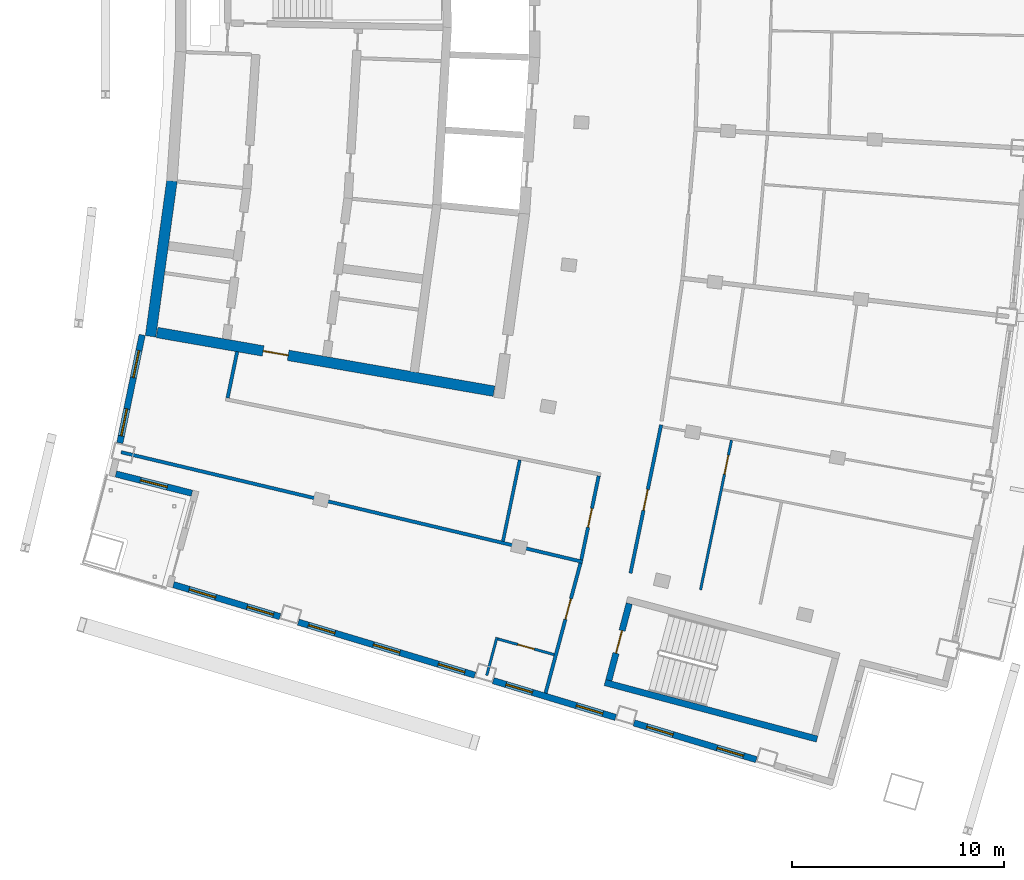
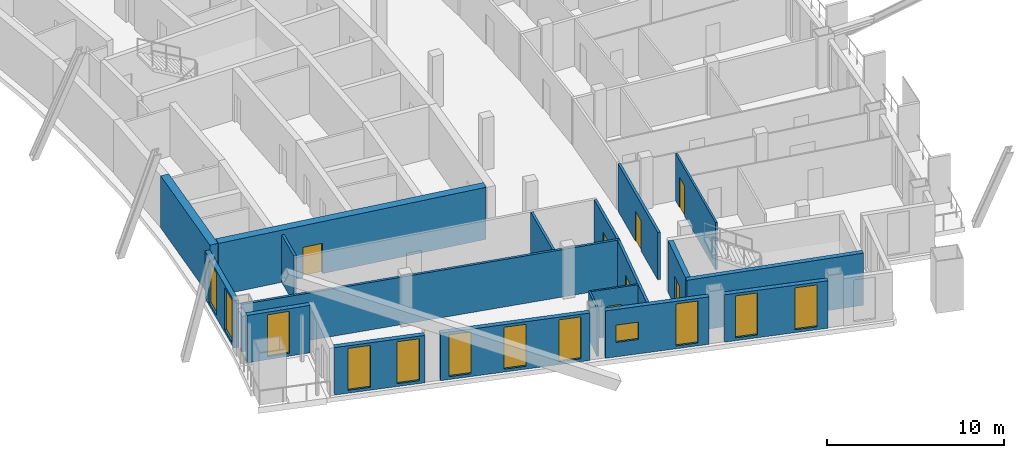
# One storey, part 7 of 17: 19 walls, 12 windows, 7 doors, 19 openings.
"""IFC4 building model written with IfcOpenShell, lengths in metres."""

from ifc_helpers import new_model, si_unit, direction, frame, frame_2d, origin, place, context, subcontext, project, spatial, rectangle, extrude, material, layer, layer_set, type_object, element, fill, save


model = new_model("IFC4")

# Units and contexts
model_context = context("Model", 3, precision=1e-05, world=origin(), true_north=direction((0.0, 1.0)))
body_context = subcontext(model_context, "Body", "Model", "MODEL_VIEW")
ifc_project = project(units=[si_unit("LENGTHUNIT", "METRE"), si_unit("AREAUNIT", "SQUARE_METRE"), si_unit("VOLUMEUNIT", "CUBIC_METRE"), si_unit("PLANEANGLEUNIT", "RADIAN"), si_unit("MASSUNIT", "GRAM", prefix="KILO")], contexts=[model_context])

# Site, building, storey
site_placement = place(None, origin())
site = spatial("IfcSite", under=ifc_project, at=site_placement, CompositionType="ELEMENT")
building_placement = place(site_placement, origin())
building = spatial("IfcBuilding", under=site, at=building_placement, Name="Alderwake Tower", CompositionType="ELEMENT")
storey_placement = place(building_placement, frame((0.0, 0.0, 256.39990234375)))
storey = spatial("IfcBuildingStorey", under=building, at=storey_placement, Name="L63", CompositionType="ELEMENT", Elevation=256.39990234375)

# Wall
ifc_material_1 = material(Name="Concrete C70/85", Category="concrete")
ifc_layer_1 = layer(ifc_material_1, 0.5)
ifc_layer_set_1 = layer_set([ifc_layer_1], Name="Core wall outer 500 C70-85")
wall_type_1 = type_object("IfcWallType", Name="Core wall outer 500 C70-85", PredefinedType="SHEAR", material=ifc_layer_set_1)
wall_1_placement = place(storey_placement, frame((15.272216796875, 44.155029296875, 0.0), z_axis=(0.0, 0.0, 1.0), x_axis=(0.13632182908, 0.990664604655, 0.0)))
element("IfcWall", 1, at=wall_1_placement, inside=storey, type_object=wall_type_1, Name="Core wall CW.028", PredefinedType="SHEAR", context=body_context, shape_type="SweptSolid", body=[
    extrude(rectangle(XDim=7.408935546875, YDim=0.5, at=frame_2d((3.70458984375, 0.0))), origin(), (0.0, 0.0, 1.0), 3.60009765625),
])

# Wall, opening, door
wall_2_placement = place(storey_placement, frame((31.47802734375, 41.564453125, 0.0), z_axis=(0.0, 0.0, 1.0), x_axis=(-0.985140274783, 0.171751678306, 0.0)))
wall_2 = element("IfcWall", 2, at=wall_2_placement, inside=storey, type_object=wall_type_1, Name="Core wall CW.072", PredefinedType="SHEAR", context=body_context, shape_type="SweptSolid", body=[
    extrude(rectangle(XDim=16.137939453125, YDim=0.5, at=frame_2d((8.06884765625, 0.0))), origin(), (0.0, 0.0, 1.0), 3.60009765625),
])
opening_1_placement = place(wall_2_placement, frame((9.859619140625, 0.0, 0.0)))
opening_1 = element("IfcOpeningElement", 3, at=opening_1_placement, cuts=wall_2, Name="Opening C003", PredefinedType="OPENING", context=body_context, shape_type="SweptSolid", body=[
    extrude(rectangle(XDim=1.199951171875, YDim=2.10009765625, at=frame_2d((0.60009765625, 1.050048828125))), frame((0.0, 0.260009765625, 0.0), z_axis=(0.0, -1.0, 0.0), x_axis=(1.0, 0.0, 0.0)), (0.0, 0.0, 1.0), 0.52001953125),
])
ifc_material_2 = material(Name="Steel-framed fire door leaf", Category="steel")
door_type_1 = type_object("IfcDoorType", Name="Core lobby exit door 1200 fire-rated", OperationType="SINGLE_SWING_LEFT", PredefinedType="DOOR", material=ifc_material_2)
door_1_placement = place(opening_1_placement, origin())
door_1 = element("IfcDoor", 4, at=door_1_placement, inside=storey, type_object=door_type_1, Name="Lobby door", OperationType="SINGLE_SWING_LEFT", OverallHeight=2.10009765625, OverallWidth=1.199951171875, PredefinedType="DOOR", context=body_context, shape_type="SweptSolid", body=[
    extrude(rectangle(XDim=1.199951171875, YDim=2.10009765625, at=frame_2d((0.60009765625, 1.050048828125))), frame((0.0, 0.02490234375, 0.0), z_axis=(0.0, -1.0, 0.0), x_axis=(1.0, 0.0, 0.0)), (0.0, 0.0, 1.0), 0.050048828125),
])
fill(opening_1, door_1)

# Wall
ifc_material_3 = material(Name="Concrete C70/85", Category="concrete")
ifc_layer_2 = layer(ifc_material_3, 0.300048828125)
ifc_layer_set_2 = layer_set([ifc_layer_2], Name="Core wall stair enclosure 300 C70-85")
wall_type_2 = type_object("IfcWallType", Name="Core wall stair enclosure 300 C70-85", PredefinedType="SHEAR", material=ifc_layer_set_2)
wall_3_placement = place(storey_placement, frame((36.71142578125, 27.817626953125, 0.0), z_axis=(0.0, 0.0, 1.0), x_axis=(0.966309214305, -0.257383958996, 0.0)))
element("IfcWall", 5, at=wall_3_placement, inside=storey, type_object=wall_type_2, Name="Core wall CW.088", PredefinedType="SHEAR", context=body_context, shape_type="SweptSolid", body=[
    extrude(rectangle(XDim=10.360107421875, YDim=0.300048828125, at=frame_2d((5.18017578125, 0.0))), origin(), (0.0, 0.0, 1.0), 3.60009765625),
])

# Wall, opening, door
wall_4_placement = place(storey_placement, frame((36.89501953125, 27.923828125, 0.0), z_axis=(0.0, 0.0, 1.0), x_axis=(0.257350630826, 0.966318090907, 0.0)))
wall_4 = element("IfcWall", 6, at=wall_4_placement, inside=storey, type_object=wall_type_2, Name="Core wall CW.087", PredefinedType="SHEAR", context=body_context, shape_type="SweptSolid", body=[
    extrude(rectangle(XDim=3.75, YDim=0.300048828125, at=frame_2d((1.875, 0.0))), origin(), (0.0, 0.0, 1.0), 3.60009765625),
])
opening_2_placement = place(wall_4_placement, frame((1.324951171875, 0.0, 0.0)))
opening_2 = element("IfcOpeningElement", 7, at=opening_2_placement, cuts=wall_4, Name="Opening C065", PredefinedType="OPENING", context=body_context, shape_type="SweptSolid", body=[
    extrude(rectangle(XDim=1.10009765625, YDim=2.10009765625, at=frame_2d((0.550048828125, 1.050048828125))), frame((0.0, 0.159912109375, 0.0), z_axis=(0.0, -1.0, 0.0), x_axis=(1.0, 0.0, 0.0)), (0.0, 0.0, 1.0), 0.320068359375),
])
ifc_material_4 = material(Name="Steel-framed fire door leaf", Category="steel")
door_type_2 = type_object("IfcDoorType", Name="Core stair door 1100 fire-rated", OperationType="SINGLE_SWING_LEFT", PredefinedType="DOOR", material=ifc_material_4)
door_2_placement = place(opening_2_placement, origin())
door_2 = element("IfcDoor", 8, at=door_2_placement, inside=storey, type_object=door_type_2, Name="Stair door", OperationType="SINGLE_SWING_RIGHT", OverallHeight=2.10009765625, OverallWidth=1.10009765625, PredefinedType="DOOR", context=body_context, shape_type="SweptSolid", body=[
    extrude(rectangle(XDim=1.10009765625, YDim=2.10009765625, at=frame_2d((0.550048828125, 1.050048828125))), frame((0.0, 0.02490234375, 0.0), z_axis=(0.0, -1.0, 0.0), x_axis=(1.0, 0.0, 0.0)), (0.0, 0.0, 1.0), 0.050048828125),
])
fill(opening_2, door_2)

# Walls
ifc_material_5 = material(Name="Gypsum board on metal studs, rated")
ifc_layer_3 = layer(ifc_material_5, 0.159912109375)
ifc_layer_set_3 = layer_set([ifc_layer_3], Name="Corridor wall 160")
wall_type_3 = type_object("IfcWallType", Name="Corridor wall 160", PredefinedType="PARTITIONING", material=ifc_layer_set_3)
wall_5_placement = place(storey_placement, frame((13.884033203125, 38.68798828125, 0.0), z_axis=(0.0, 0.0, 1.0), x_axis=(0.972893462073, -0.231253781493, 0.0)))
element("IfcWall", 9, at=wall_5_placement, inside=storey, type_object=wall_type_3, Name="WL/L63/W09", PredefinedType="PARTITIONING", context=body_context, shape_type="SweptSolid", body=[
    extrude(rectangle(XDim=22.38037109375, YDim=0.159912109375, at=frame_2d((11.190185546875, 0.0))), origin(), (0.0, 0.0, 1.0), 3.280029296875),
])
wall_6_placement = place(storey_placement, frame((19.35888671875, 43.430908203125, 0.0), z_axis=(0.0, 0.0, 1.0), x_axis=(-0.202554916658, -0.979270905183, 0.0)))
element("IfcWall", 10, at=wall_6_placement, inside=storey, type_object=wall_type_3, Name="WL/L63/W11", PredefinedType="PARTITIONING", context=body_context, shape_type="SweptSolid", body=[
    extrude(rectangle(XDim=2.229736328125, YDim=0.159912109375, at=frame_2d((1.11474609375, 0.0))), origin(), (0.0, 0.0, 1.0), 3.280029296875),
])

# Wall, opening, door
wall_7_placement = place(storey_placement, frame((33.912109375, 27.321044921875, 0.0), z_axis=(0.0, 0.0, 1.0), x_axis=(0.259370874835, 0.965777794986, 0.0)))
wall_7 = element("IfcWall", 11, at=wall_7_placement, inside=storey, type_object=wall_type_3, Name="WL/L63/W14", PredefinedType="PARTITIONING", context=body_context, shape_type="SweptSolid", body=[
    extrude(rectangle(XDim=6.349853515625, YDim=0.159912109375, at=frame_2d((3.1748046875, 0.0))), origin(), (0.0, 0.0, 1.0), 3.280029296875),
])
opening_3_placement = place(wall_7_placement, frame((3.603515625, 0.0, 0.0)))
opening_3 = element("IfcOpeningElement", 12, at=opening_3_placement, cuts=wall_7, Name="Opening R18-U08.1", PredefinedType="OPENING", context=body_context, shape_type="SweptSolid", body=[
    extrude(rectangle(XDim=1.0, YDim=2.10009765625, at=frame_2d((0.5, 1.050048828125))), frame((0.0, 0.08984375, 0.0), z_axis=(0.0, -1.0, 0.0), x_axis=(1.0, 0.0, 0.0)), (0.0, 0.0, 1.0), 0.179931640625),
])
ifc_material_6 = material(Name="Solid timber leaf in steel frame", Category="steel")
door_type_3 = type_object("IfcDoorType", Name="Flat entrance door 1000 fire-rated", OperationType="SINGLE_SWING_LEFT", PredefinedType="DOOR", material=ifc_material_6)
door_3_placement = place(opening_3_placement, origin())
door_3 = element("IfcDoor", 13, at=door_3_placement, inside=storey, type_object=door_type_3, Name="DR/L63/U08.1", OperationType="SINGLE_SWING_LEFT", OverallHeight=2.10009765625, OverallWidth=1.0, PredefinedType="DOOR", context=body_context, shape_type="SweptSolid", body=[
    extrude(rectangle(XDim=1.0, YDim=2.10009765625, at=frame_2d((0.5, 1.050048828125))), frame((0.0, 0.02490234375, 0.0), z_axis=(0.0, -1.0, 0.0), x_axis=(1.0, 0.0, 0.0)), (0.0, 0.0, 1.0), 0.050048828125),
])
fill(opening_3, door_3)

wall_8_placement = place(storey_placement, frame((35.59619140625, 33.609375, 0.0), z_axis=(0.0, 0.0, 1.0), x_axis=(0.203245920818, 0.979127721838, 0.0)))
wall_8 = element("IfcWall", 14, at=wall_8_placement, inside=storey, type_object=wall_type_3, Name="WL/L63/W17", PredefinedType="PARTITIONING", context=body_context, shape_type="SweptSolid", body=[
    extrude(rectangle(XDim=4.046875, YDim=0.159912109375, at=frame_2d((2.0234375, 0.0))), origin(), (0.0, 0.0, 1.0), 3.280029296875),
])
opening_4_placement = place(wall_8_placement, frame((1.573486328125, 0.0, 0.0)))
opening_4 = element("IfcOpeningElement", 15, at=opening_4_placement, cuts=wall_8, Name="Opening R18-SBS2", PredefinedType="OPENING", context=body_context, shape_type="SweptSolid", body=[
    extrude(rectangle(XDim=0.89990234375, YDim=2.10009765625, at=frame_2d((0.449951171875, 1.050048828125))), frame((0.0, 0.08984375, 0.0), z_axis=(0.0, -1.0, 0.0), x_axis=(1.0, 0.0, 0.0)), (0.0, 0.0, 1.0), 0.179931640625),
])
ifc_material_7 = material(Name="Painted timber leaf", Category="wood")
door_type_4 = type_object("IfcDoorType", Name="Room door 900", OperationType="SINGLE_SWING_LEFT", PredefinedType="DOOR", material=ifc_material_7)
door_4_placement = place(opening_4_placement, origin())
door_4 = element("IfcDoor", 16, at=door_4_placement, inside=storey, type_object=door_type_4, Name="DR/L63/SBS2", OperationType="SINGLE_SWING_LEFT", OverallHeight=2.10009765625, OverallWidth=0.89990234375, PredefinedType="DOOR", context=body_context, shape_type="SweptSolid", body=[
    extrude(rectangle(XDim=0.89990234375, YDim=2.10009765625, at=frame_2d((0.449951171875, 1.050048828125))), frame((0.0, 0.02490234375, 0.0), z_axis=(0.0, -1.0, 0.0), x_axis=(1.0, 0.0, 0.0)), (0.0, 0.0, 1.0), 0.050048828125),
])
fill(opening_4, door_4)

wall_9_placement = place(storey_placement, frame((39.3642578125, 39.975341796875, 0.0), z_axis=(0.0, 0.0, 1.0), x_axis=(-0.202490391407, -0.979284249535, 0.0)))
wall_9 = element("IfcWall", 17, at=wall_9_placement, inside=storey, type_object=wall_type_3, Name="WL/L63/W19", PredefinedType="PARTITIONING", context=body_context, shape_type="SweptSolid", body=[
    extrude(rectangle(XDim=7.147216796875, YDim=0.159912109375, at=frame_2d((3.57373046875, 0.0))), origin(), (0.0, 0.0, 1.0), 3.280029296875),
])
opening_5_placement = place(wall_9_placement, frame((3.113037109375, 0.0, 0.0)))
opening_5 = element("IfcOpeningElement", 18, at=opening_5_placement, cuts=wall_9, Name="Opening R18-U03.1", PredefinedType="OPENING", context=body_context, shape_type="SweptSolid", body=[
    extrude(rectangle(XDim=1.0, YDim=2.10009765625, at=frame_2d((0.5, 1.050048828125))), frame((0.0, 0.08984375, 0.0), z_axis=(0.0, -1.0, 0.0), x_axis=(1.0, 0.0, 0.0)), (0.0, 0.0, 1.0), 0.179931640625),
])
door_5_placement = place(opening_5_placement, origin())
door_5 = element("IfcDoor", 19, at=door_5_placement, inside=storey, type_object=door_type_3, Name="DR/L63/U03.1", OperationType="SINGLE_SWING_LEFT", OverallHeight=2.10009765625, OverallWidth=1.0, PredefinedType="DOOR", context=body_context, shape_type="SweptSolid", body=[
    extrude(rectangle(XDim=1.0, YDim=2.10009765625, at=frame_2d((0.5, 1.050048828125))), frame((0.0, 0.02490234375, 0.0), z_axis=(0.0, -1.0, 0.0), x_axis=(1.0, 0.0, 0.0)), (0.0, 0.0, 1.0), 0.050048828125),
])
fill(opening_5, door_5)

# Wall, openings, windows
ifc_material_8 = material(Name="Precast concrete C50/60 spandrel panel", Category="concrete")
ifc_layer_4 = layer(ifc_material_8, 0.300048828125)
ifc_layer_set_4 = layer_set([ifc_layer_4], Name="External wall EW1 Precast concrete C50/60 spandrel")
wall_type_4 = type_object("IfcWallType", Name="External wall EW1 Precast concrete C50/60 spandrel", PredefinedType="SOLIDWALL", material=ifc_layer_set_4)
wall_10_placement = place(storey_placement, frame((14.878173828125, 44.223388671875, 0.0), z_axis=(0.0, 0.0, 1.0), x_axis=(-0.202760516883, -0.979228355795, 0.0)))
wall_10 = element("IfcWall", 20, at=wall_10_placement, inside=storey, type_object=wall_type_4, Name="External wall 32", PredefinedType="SOLIDWALL", context=body_context, shape_type="SweptSolid", body=[
    extrude(rectangle(XDim=5.211181640625, YDim=0.300048828125, at=frame_2d((2.60546875, 0.0))), origin(), (0.0, 0.0, 1.0), 3.280029296875),
])
opening_6_placement = place(wall_10_placement, frame((0.75634765625, 0.0, 0.199951171875)))
opening_6 = element("IfcOpeningElement", 21, at=opening_6_placement, cuts=wall_10, Name="Opening W1", PredefinedType="OPENING", context=body_context, shape_type="SweptSolid", body=[
    extrude(rectangle(XDim=1.300048828125, YDim=2.89990234375, at=frame_2d((0.64990234375, 1.449951171875))), frame((0.0, 0.159912109375, 0.0), z_axis=(0.0, -1.0, 0.0), x_axis=(1.0, 0.0, 0.0)), (0.0, 0.0, 1.0), 0.320068359375),
])
opening_7_placement = place(wall_10_placement, frame((3.569091796875, 0.0, 0.199951171875)))
opening_7 = element("IfcOpeningElement", 22, at=opening_7_placement, cuts=wall_10, Name="Opening W1", PredefinedType="OPENING", context=body_context, shape_type="SweptSolid", body=[
    extrude(rectangle(XDim=1.300048828125, YDim=2.89990234375, at=frame_2d((0.64990234375, 1.449951171875))), frame((0.0, 0.159912109375, 0.0), z_axis=(0.0, -1.0, 0.0), x_axis=(1.0, 0.0, 0.0)), (0.0, 0.0, 1.0), 0.320068359375),
])
ifc_material_9 = material(Name="Bronze tinted glass in aluminium frame", Category="aluminium")
window_type_1 = type_object("IfcWindowType", Name="Window W1 tall fixed and vent", PartitioningType="DOUBLE_PANEL_VERTICAL", PredefinedType="WINDOW", material=ifc_material_9)
window_1_placement = place(opening_6_placement, origin())
window_1 = element("IfcWindow", 23, at=window_1_placement, inside=storey, type_object=window_type_1, Name="Window W1 tall fixed and vent", OverallHeight=2.89990234375, OverallWidth=1.300048828125, PartitioningType="DOUBLE_PANEL_VERTICAL", PredefinedType="WINDOW", context=body_context, shape_type="SweptSolid", body=[
    extrude(rectangle(XDim=1.300048828125, YDim=2.89990234375, at=frame_2d((0.64990234375, 1.449951171875))), frame((0.0, 0.030029296875, 0.0), z_axis=(0.0, -1.0, 0.0), x_axis=(1.0, 0.0, 0.0)), (0.0, 0.0, 1.0), 0.06005859375),
])
fill(opening_6, window_1)
window_2_placement = place(opening_7_placement, origin())
window_2 = element("IfcWindow", 24, at=window_2_placement, inside=storey, type_object=window_type_1, Name="Window W1 tall fixed and vent", OverallHeight=2.89990234375, OverallWidth=1.300048828125, PartitioningType="DOUBLE_PANEL_VERTICAL", PredefinedType="WINDOW", context=body_context, shape_type="SweptSolid", body=[
    extrude(rectangle(XDim=1.300048828125, YDim=2.89990234375, at=frame_2d((0.64990234375, 1.449951171875))), frame((0.0, 0.030029296875, 0.0), z_axis=(0.0, -1.0, 0.0), x_axis=(1.0, 0.0, 0.0)), (0.0, 0.0, 1.0), 0.06005859375),
])
fill(opening_7, window_2)

# Wall, opening, window
ifc_material_10 = material(Name="Bronze metal cladding on lightweight framing")
ifc_layer_5 = layer(ifc_material_10, 0.300048828125)
ifc_layer_set_5 = layer_set([ifc_layer_5], Name="External wall EW2 bronze metal cladding")
wall_type_5 = type_object("IfcWallType", Name="External wall EW2 bronze metal cladding", PredefinedType="SOLIDWALL", material=ifc_layer_set_5)
wall_11_placement = place(storey_placement, frame((13.633056640625, 37.660400390625, 0.0), z_axis=(0.0, 0.0, 1.0), x_axis=(0.969417366605, -0.245417948254, 0.0)))
wall_11 = element("IfcWall", 25, at=wall_11_placement, inside=storey, type_object=wall_type_5, Name="External wall 2", PredefinedType="SOLIDWALL", context=body_context, shape_type="SweptSolid", body=[
    extrude(rectangle(XDim=3.70556640625, YDim=0.300048828125, at=frame_2d((1.852783203125, 0.0))), origin(), (0.0, 0.0, 1.0), 3.280029296875),
])
opening_8_placement = place(wall_11_placement, frame((1.202880859375, 0.0, 0.199951171875)))
opening_8 = element("IfcOpeningElement", 26, at=opening_8_placement, cuts=wall_11, Name="Opening W1", PredefinedType="OPENING", context=body_context, shape_type="SweptSolid", body=[
    extrude(rectangle(XDim=1.300048828125, YDim=2.89990234375, at=frame_2d((0.64990234375, 1.449951171875))), frame((0.0, 0.159912109375, 0.0), z_axis=(0.0, -1.0, 0.0), x_axis=(1.0, 0.0, 0.0)), (0.0, 0.0, 1.0), 0.320068359375),
])
window_3_placement = place(opening_8_placement, origin())
window_3 = element("IfcWindow", 27, at=window_3_placement, inside=storey, type_object=window_type_1, Name="Window W1 tall fixed and vent", OverallHeight=2.89990234375, OverallWidth=1.300048828125, PartitioningType="DOUBLE_PANEL_VERTICAL", PredefinedType="WINDOW", context=body_context, shape_type="SweptSolid", body=[
    extrude(rectangle(XDim=1.300048828125, YDim=2.89990234375, at=frame_2d((0.64990234375, 1.449951171875))), frame((0.0, 0.030029296875, 0.0), z_axis=(0.0, -1.0, 0.0), x_axis=(1.0, 0.0, 0.0)), (0.0, 0.0, 1.0), 0.06005859375),
])
fill(opening_8, window_3)

# Wall, openings, windows
wall_12_placement = place(storey_placement, frame((16.352783203125, 32.4375, 0.0), z_axis=(0.0, 0.0, 1.0), x_axis=(0.957768668152, -0.287539872551, 0.0)))
wall_12 = element("IfcWall", 28, at=wall_12_placement, inside=storey, type_object=wall_type_5, Name="External wall 4", PredefinedType="SOLIDWALL", context=body_context, shape_type="SweptSolid", body=[
    extrude(rectangle(XDim=5.249755859375, YDim=0.300048828125, at=frame_2d((2.625, 0.0))), origin(), (0.0, 0.0, 1.0), 3.280029296875),
])
opening_9_placement = place(wall_12_placement, frame((0.775390625, 0.0, 0.199951171875)))
opening_9 = element("IfcOpeningElement", 29, at=opening_9_placement, cuts=wall_12, Name="Opening W1", PredefinedType="OPENING", context=body_context, shape_type="SweptSolid", body=[
    extrude(rectangle(XDim=1.300048828125, YDim=2.89990234375, at=frame_2d((0.64990234375, 1.449951171875))), frame((0.0, 0.159912109375, 0.0), z_axis=(0.0, -1.0, 0.0), x_axis=(1.0, 0.0, 0.0)), (0.0, 0.0, 1.0), 0.320068359375),
])
opening_10_placement = place(wall_12_placement, frame((3.626220703125, 0.0, 0.199951171875)))
opening_10 = element("IfcOpeningElement", 30, at=opening_10_placement, cuts=wall_12, Name="Opening W1", PredefinedType="OPENING", context=body_context, shape_type="SweptSolid", body=[
    extrude(rectangle(XDim=1.300048828125, YDim=2.89990234375, at=frame_2d((0.64990234375, 1.449951171875))), frame((0.0, 0.159912109375, 0.0), z_axis=(0.0, -1.0, 0.0), x_axis=(1.0, 0.0, 0.0)), (0.0, 0.0, 1.0), 0.320068359375),
])
window_4_placement = place(opening_9_placement, origin())
window_4 = element("IfcWindow", 31, at=window_4_placement, inside=storey, type_object=window_type_1, Name="Window W1 tall fixed and vent", OverallHeight=2.89990234375, OverallWidth=1.300048828125, PartitioningType="DOUBLE_PANEL_VERTICAL", PredefinedType="WINDOW", context=body_context, shape_type="SweptSolid", body=[
    extrude(rectangle(XDim=1.300048828125, YDim=2.89990234375, at=frame_2d((0.64990234375, 1.449951171875))), frame((0.0, 0.030029296875, 0.0), z_axis=(0.0, -1.0, 0.0), x_axis=(1.0, 0.0, 0.0)), (0.0, 0.0, 1.0), 0.06005859375),
])
fill(opening_9, window_4)
window_5_placement = place(opening_10_placement, origin())
window_5 = element("IfcWindow", 32, at=window_5_placement, inside=storey, type_object=window_type_1, Name="Window W1 tall fixed and vent", OverallHeight=2.89990234375, OverallWidth=1.300048828125, PartitioningType="DOUBLE_PANEL_VERTICAL", PredefinedType="WINDOW", context=body_context, shape_type="SweptSolid", body=[
    extrude(rectangle(XDim=1.300048828125, YDim=2.89990234375, at=frame_2d((0.64990234375, 1.449951171875))), frame((0.0, 0.030029296875, 0.0), z_axis=(0.0, -1.0, 0.0), x_axis=(1.0, 0.0, 0.0)), (0.0, 0.0, 1.0), 0.06005859375),
])
fill(opening_10, window_5)

wall_13_placement = place(storey_placement, frame((22.24658203125, 30.668212890625, 0.0), z_axis=(0.0, 0.0, 1.0), x_axis=(0.957762902908, -0.287559075345, 0.0)))
wall_13 = element("IfcWall", 33, at=wall_13_placement, inside=storey, type_object=wall_type_5, Name="External wall 5", PredefinedType="SOLIDWALL", context=body_context, shape_type="SweptSolid", body=[
    extrude(rectangle(XDim=8.696533203125, YDim=0.300048828125, at=frame_2d((4.34814453125, 0.0))), origin(), (0.0, 0.0, 1.0), 3.280029296875),
])
opening_11_placement = place(wall_13_placement, frame((0.498046875, 0.0, 0.199951171875)))
opening_11 = element("IfcOpeningElement", 34, at=opening_11_placement, cuts=wall_13, Name="Opening W1", PredefinedType="OPENING", context=body_context, shape_type="SweptSolid", body=[
    extrude(rectangle(XDim=1.300048828125, YDim=2.89990234375, at=frame_2d((0.64990234375, 1.449951171875))), frame((0.0, 0.159912109375, 0.0), z_axis=(0.0, -1.0, 0.0), x_axis=(1.0, 0.0, 0.0)), (0.0, 0.0, 1.0), 0.320068359375),
])
opening_12_placement = place(wall_13_placement, frame((3.697998046875, 0.0, 0.199951171875)))
opening_12 = element("IfcOpeningElement", 35, at=opening_12_placement, cuts=wall_13, Name="Opening W1", PredefinedType="OPENING", context=body_context, shape_type="SweptSolid", body=[
    extrude(rectangle(XDim=1.300048828125, YDim=2.89990234375, at=frame_2d((0.64990234375, 1.449951171875))), frame((0.0, 0.159912109375, 0.0), z_axis=(0.0, -1.0, 0.0), x_axis=(1.0, 0.0, 0.0)), (0.0, 0.0, 1.0), 0.320068359375),
])
opening_13_placement = place(wall_13_placement, frame((6.898193359375, 0.0, 0.199951171875)))
opening_13 = element("IfcOpeningElement", 36, at=opening_13_placement, cuts=wall_13, Name="Opening W1", PredefinedType="OPENING", context=body_context, shape_type="SweptSolid", body=[
    extrude(rectangle(XDim=1.300048828125, YDim=2.89990234375, at=frame_2d((0.64990234375, 1.449951171875))), frame((0.0, 0.159912109375, 0.0), z_axis=(0.0, -1.0, 0.0), x_axis=(1.0, 0.0, 0.0)), (0.0, 0.0, 1.0), 0.320068359375),
])
window_6_placement = place(opening_11_placement, origin())
window_6 = element("IfcWindow", 37, at=window_6_placement, inside=storey, type_object=window_type_1, Name="Window W1 tall fixed and vent", OverallHeight=2.89990234375, OverallWidth=1.300048828125, PartitioningType="DOUBLE_PANEL_VERTICAL", PredefinedType="WINDOW", context=body_context, shape_type="SweptSolid", body=[
    extrude(rectangle(XDim=1.300048828125, YDim=2.89990234375, at=frame_2d((0.64990234375, 1.449951171875))), frame((0.0, 0.030029296875, 0.0), z_axis=(0.0, -1.0, 0.0), x_axis=(1.0, 0.0, 0.0)), (0.0, 0.0, 1.0), 0.06005859375),
])
fill(opening_11, window_6)
window_7_placement = place(opening_12_placement, origin())
window_7 = element("IfcWindow", 38, at=window_7_placement, inside=storey, type_object=window_type_1, Name="Window W1 tall fixed and vent", OverallHeight=2.89990234375, OverallWidth=1.300048828125, PartitioningType="DOUBLE_PANEL_VERTICAL", PredefinedType="WINDOW", context=body_context, shape_type="SweptSolid", body=[
    extrude(rectangle(XDim=1.300048828125, YDim=2.89990234375, at=frame_2d((0.64990234375, 1.449951171875))), frame((0.0, 0.030029296875, 0.0), z_axis=(0.0, -1.0, 0.0), x_axis=(1.0, 0.0, 0.0)), (0.0, 0.0, 1.0), 0.06005859375),
])
fill(opening_12, window_7)
window_8_placement = place(opening_13_placement, origin())
window_8 = element("IfcWindow", 39, at=window_8_placement, inside=storey, type_object=window_type_1, Name="Window W1 tall fixed and vent", OverallHeight=2.89990234375, OverallWidth=1.300048828125, PartitioningType="DOUBLE_PANEL_VERTICAL", PredefinedType="WINDOW", context=body_context, shape_type="SweptSolid", body=[
    extrude(rectangle(XDim=1.300048828125, YDim=2.89990234375, at=frame_2d((0.64990234375, 1.449951171875))), frame((0.0, 0.030029296875, 0.0), z_axis=(0.0, -1.0, 0.0), x_axis=(1.0, 0.0, 0.0)), (0.0, 0.0, 1.0), 0.06005859375),
])
fill(opening_13, window_8)

wall_14_placement = place(storey_placement, frame((31.441162109375, 27.90771484375, 0.0), z_axis=(0.0, 0.0, 1.0), x_axis=(0.957753821359, -0.287589321205, 0.0)))
wall_14 = element("IfcWall", 40, at=wall_14_placement, inside=storey, type_object=wall_type_5, Name="External wall 6", PredefinedType="SOLIDWALL", context=body_context, shape_type="SweptSolid", body=[
    extrude(rectangle(XDim=6.02978515625, YDim=0.300048828125, at=frame_2d((3.014892578125, 0.0))), origin(), (0.0, 0.0, 1.0), 3.280029296875),
])
opening_14_placement = place(wall_14_placement, frame((0.631591796875, 0.0, 1.0)))
opening_14 = element("IfcOpeningElement", 41, at=opening_14_placement, cuts=wall_14, Name="Opening W2", PredefinedType="OPENING", context=body_context, shape_type="SweptSolid", body=[
    extrude(rectangle(XDim=1.300048828125, YDim=1.199951171875, at=frame_2d((0.64990234375, 0.60009765625))), frame((0.0, 0.159912109375, 0.0), z_axis=(0.0, -1.0, 0.0), x_axis=(1.0, 0.0, 0.0)), (0.0, 0.0, 1.0), 0.320068359375),
])
opening_15_placement = place(wall_14_placement, frame((4.09814453125, 0.0, 0.199951171875)))
opening_15 = element("IfcOpeningElement", 42, at=opening_15_placement, cuts=wall_14, Name="Opening W1", PredefinedType="OPENING", context=body_context, shape_type="SweptSolid", body=[
    extrude(rectangle(XDim=1.300048828125, YDim=2.89990234375, at=frame_2d((0.64990234375, 1.449951171875))), frame((0.0, 0.159912109375, 0.0), z_axis=(0.0, -1.0, 0.0), x_axis=(1.0, 0.0, 0.0)), (0.0, 0.0, 1.0), 0.320068359375),
])
window_9_placement = place(opening_15_placement, origin())
window_9 = element("IfcWindow", 43, at=window_9_placement, inside=storey, type_object=window_type_1, Name="Window W1 tall fixed and vent", OverallHeight=2.89990234375, OverallWidth=1.300048828125, PartitioningType="DOUBLE_PANEL_VERTICAL", PredefinedType="WINDOW", context=body_context, shape_type="SweptSolid", body=[
    extrude(rectangle(XDim=1.300048828125, YDim=2.89990234375, at=frame_2d((0.64990234375, 1.449951171875))), frame((0.0, 0.030029296875, 0.0), z_axis=(0.0, -1.0, 0.0), x_axis=(1.0, 0.0, 0.0)), (0.0, 0.0, 1.0), 0.06005859375),
])
fill(opening_15, window_9)
ifc_material_11 = material(Name="Bronze tinted glass in aluminium frame", Category="aluminium")
window_type_2 = type_object("IfcWindowType", Name="Window W2 kitchen and bath", PartitioningType="SINGLE_PANEL", PredefinedType="WINDOW", material=ifc_material_11)
window_10_placement = place(opening_14_placement, origin())
window_10 = element("IfcWindow", 44, at=window_10_placement, inside=storey, type_object=window_type_2, Name="Window W2 kitchen and bath", OverallHeight=1.199951171875, OverallWidth=1.300048828125, PartitioningType="SINGLE_PANEL", PredefinedType="WINDOW", context=body_context, shape_type="SweptSolid", body=[
    extrude(rectangle(XDim=1.300048828125, YDim=1.199951171875, at=frame_2d((0.64990234375, 0.60009765625))), frame((0.0, 0.030029296875, 0.0), z_axis=(0.0, -1.0, 0.0), x_axis=(1.0, 0.0, 0.0)), (0.0, 0.0, 1.0), 0.06005859375),
])
fill(opening_14, window_10)

wall_15_placement = place(storey_placement, frame((38.08154296875, 25.913818359375, 0.0), z_axis=(0.0, 0.0, 1.0), x_axis=(0.957771667866, -0.287529880593, 0.0)))
wall_15 = element("IfcWall", 45, at=wall_15_placement, inside=storey, type_object=wall_type_5, Name="External wall 7", PredefinedType="SOLIDWALL", context=body_context, shape_type="SweptSolid", body=[
    extrude(rectangle(XDim=6.0302734375, YDim=0.300048828125, at=frame_2d((3.01513671875, 0.0))), origin(), (0.0, 0.0, 1.0), 3.280029296875),
])
opening_16_placement = place(wall_15_placement, frame((0.631591796875, 0.0, 0.199951171875)))
opening_16 = element("IfcOpeningElement", 46, at=opening_16_placement, cuts=wall_15, Name="Opening W1", PredefinedType="OPENING", context=body_context, shape_type="SweptSolid", body=[
    extrude(rectangle(XDim=1.300048828125, YDim=2.89990234375, at=frame_2d((0.64990234375, 1.449951171875))), frame((0.0, 0.159912109375, 0.0), z_axis=(0.0, -1.0, 0.0), x_axis=(1.0, 0.0, 0.0)), (0.0, 0.0, 1.0), 0.320068359375),
])
opening_17_placement = place(wall_15_placement, frame((4.098388671875, 0.0, 0.199951171875)))
opening_17 = element("IfcOpeningElement", 47, at=opening_17_placement, cuts=wall_15, Name="Opening W1", PredefinedType="OPENING", context=body_context, shape_type="SweptSolid", body=[
    extrude(rectangle(XDim=1.300048828125, YDim=2.89990234375, at=frame_2d((0.64990234375, 1.449951171875))), frame((0.0, 0.159912109375, 0.0), z_axis=(0.0, -1.0, 0.0), x_axis=(1.0, 0.0, 0.0)), (0.0, 0.0, 1.0), 0.320068359375),
])
window_11_placement = place(opening_16_placement, origin())
window_11 = element("IfcWindow", 48, at=window_11_placement, inside=storey, type_object=window_type_1, Name="Window W1 tall fixed and vent", OverallHeight=2.89990234375, OverallWidth=1.300048828125, PartitioningType="DOUBLE_PANEL_VERTICAL", PredefinedType="WINDOW", context=body_context, shape_type="SweptSolid", body=[
    extrude(rectangle(XDim=1.300048828125, YDim=2.89990234375, at=frame_2d((0.64990234375, 1.449951171875))), frame((0.0, 0.030029296875, 0.0), z_axis=(0.0, -1.0, 0.0), x_axis=(1.0, 0.0, 0.0)), (0.0, 0.0, 1.0), 0.06005859375),
])
fill(opening_16, window_11)
window_12_placement = place(opening_17_placement, origin())
window_12 = element("IfcWindow", 49, at=window_12_placement, inside=storey, type_object=window_type_1, Name="Window W1 tall fixed and vent", OverallHeight=2.89990234375, OverallWidth=1.300048828125, PartitioningType="DOUBLE_PANEL_VERTICAL", PredefinedType="WINDOW", context=body_context, shape_type="SweptSolid", body=[
    extrude(rectangle(XDim=1.300048828125, YDim=2.89990234375, at=frame_2d((0.64990234375, 1.449951171875))), frame((0.0, 0.030029296875, 0.0), z_axis=(0.0, -1.0, 0.0), x_axis=(1.0, 0.0, 0.0)), (0.0, 0.0, 1.0), 0.06005859375),
])
fill(opening_17, window_12)

# Walls
ifc_material_12 = material(Name="Gypsum shaft wall system, rated")
ifc_layer_6 = layer(ifc_material_12, 0.14990234375)
ifc_layer_set_6 = layer_set([ifc_layer_6], Name="Riser and shaft wall 150")
wall_type_6 = type_object("IfcWallType", Name="Riser and shaft wall 150", PredefinedType="PARTITIONING", material=ifc_layer_set_6)
wall_16_placement = place(storey_placement, frame((31.900146484375, 34.48828125, 0.0), z_axis=(0.0, 0.0, 1.0), x_axis=(0.20266545775, 0.979248034073, 0.0)))
element("IfcWall", 50, at=wall_16_placement, inside=storey, type_object=wall_type_6, Name="WL/L63/W05", PredefinedType="PARTITIONING", context=body_context, shape_type="SweptSolid", body=[
    extrude(rectangle(XDim=3.911376953125, YDim=0.14990234375, at=frame_2d((1.95556640625, 0.0))), origin(), (0.0, 0.0, 1.0), 3.280029296875),
])
ifc_material_13 = material(Name="Moisture resistant gypsum board on metal studs")
ifc_layer_7 = layer(ifc_material_13, 0.1201171875)
ifc_layer_set_7 = layer_set([ifc_layer_7], Name="Wet room partition 120")
wall_type_7 = type_object("IfcWallType", Name="Wet room partition 120", PredefinedType="PARTITIONING", material=ifc_layer_set_7)
wall_17_placement = place(storey_placement, frame((31.61767578125, 29.949951171875, 0.0), z_axis=(0.0, 0.0, 1.0), x_axis=(-0.260171283127, -0.965562480338, 0.0)))
element("IfcWall", 51, at=wall_17_placement, inside=storey, type_object=wall_type_7, Name="WL/L63/W30", PredefinedType="PARTITIONING", context=body_context, shape_type="SweptSolid", body=[
    extrude(rectangle(XDim=1.85888671875, YDim=0.1201171875, at=frame_2d((0.929443359375, 0.0))), origin(), (0.0, 0.0, 1.0), 3.280029296875),
])

# Wall, opening, door
wall_18_placement = place(storey_placement, frame((34.31787109375, 29.136474609375, 0.0), z_axis=(0.0, 0.0, 1.0), x_axis=(-0.963407530319, 0.268040912036, 0.0)))
wall_18 = element("IfcWall", 52, at=wall_18_placement, inside=storey, type_object=wall_type_7, Name="WL/L63/W31", PredefinedType="PARTITIONING", context=body_context, shape_type="SweptSolid", body=[
    extrude(rectangle(XDim=2.759033203125, YDim=0.1201171875, at=frame_2d((1.37939453125, 0.0))), origin(), (0.0, 0.0, 1.0), 3.280029296875),
])
opening_18_placement = place(wall_18_placement, frame((0.9794921875, 0.0, 0.0)))
opening_18 = element("IfcOpeningElement", 53, at=opening_18_placement, cuts=wall_18, Name="Opening R18-U08.2", PredefinedType="OPENING", context=body_context, shape_type="SweptSolid", body=[
    extrude(rectangle(XDim=0.800048828125, YDim=2.10009765625, at=frame_2d((0.39990234375, 1.050048828125))), frame((0.0, 0.070068359375, 0.0), z_axis=(0.0, -1.0, 0.0), x_axis=(1.0, 0.0, 0.0)), (0.0, 0.0, 1.0), 0.14013671875),
])
ifc_material_14 = material(Name="Painted timber leaf", Category="wood")
door_type_5 = type_object("IfcDoorType", Name="Bathroom door 800", OperationType="SINGLE_SWING_LEFT", PredefinedType="DOOR", material=ifc_material_14)
door_6_placement = place(opening_18_placement, origin())
door_6 = element("IfcDoor", 54, at=door_6_placement, inside=storey, type_object=door_type_5, Name="DR/L63/U08.2", OperationType="SINGLE_SWING_LEFT", OverallHeight=2.10009765625, OverallWidth=0.800048828125, PredefinedType="DOOR", context=body_context, shape_type="SweptSolid", body=[
    extrude(rectangle(XDim=0.800048828125, YDim=2.10009765625, at=frame_2d((0.39990234375, 1.050048828125))), frame((0.0, 0.02490234375, 0.0), z_axis=(0.0, -1.0, 0.0), x_axis=(1.0, 0.0, 0.0)), (0.0, 0.0, 1.0), 0.050048828125),
])
fill(opening_18, door_6)

wall_19_placement = place(storey_placement, frame((42.685791015625, 39.257080078125, 0.0), z_axis=(0.0, 0.0, 1.0), x_axis=(-0.202701804741, -0.979240510985, 0.0)))
wall_19 = element("IfcWall", 55, at=wall_19_placement, inside=storey, type_object=wall_type_7, Name="WL/L63/W33", PredefinedType="PARTITIONING", context=body_context, shape_type="SweptSolid", body=[
    extrude(rectangle(XDim=7.217041015625, YDim=0.1201171875, at=frame_2d((3.6083984375, 0.0))), origin(), (0.0, 0.0, 1.0), 3.280029296875),
])
opening_19_placement = place(wall_19_placement, frame((0.736083984375, 0.0, 0.0)))
opening_19 = element("IfcOpeningElement", 56, at=opening_19_placement, cuts=wall_19, Name="Opening R18-U03.2", PredefinedType="OPENING", context=body_context, shape_type="SweptSolid", body=[
    extrude(rectangle(XDim=0.89990234375, YDim=2.10009765625, at=frame_2d((0.449951171875, 1.050048828125))), frame((0.0, 0.070068359375, 0.0), z_axis=(0.0, -1.0, 0.0), x_axis=(1.0, 0.0, 0.0)), (0.0, 0.0, 1.0), 0.14013671875),
])
door_7_placement = place(opening_19_placement, origin())
door_7 = element("IfcDoor", 57, at=door_7_placement, inside=storey, type_object=door_type_4, Name="DR/L63/U03.2", OperationType="SINGLE_SWING_LEFT", OverallHeight=2.10009765625, OverallWidth=0.89990234375, PredefinedType="DOOR", context=body_context, shape_type="SweptSolid", body=[
    extrude(rectangle(XDim=0.89990234375, YDim=2.10009765625, at=frame_2d((0.449951171875, 1.050048828125))), frame((0.0, 0.02490234375, 0.0), z_axis=(0.0, -1.0, 0.0), x_axis=(1.0, 0.0, 0.0)), (0.0, 0.0, 1.0), 0.050048828125),
])
fill(opening_19, door_7)

save(model, "model.ifc")
